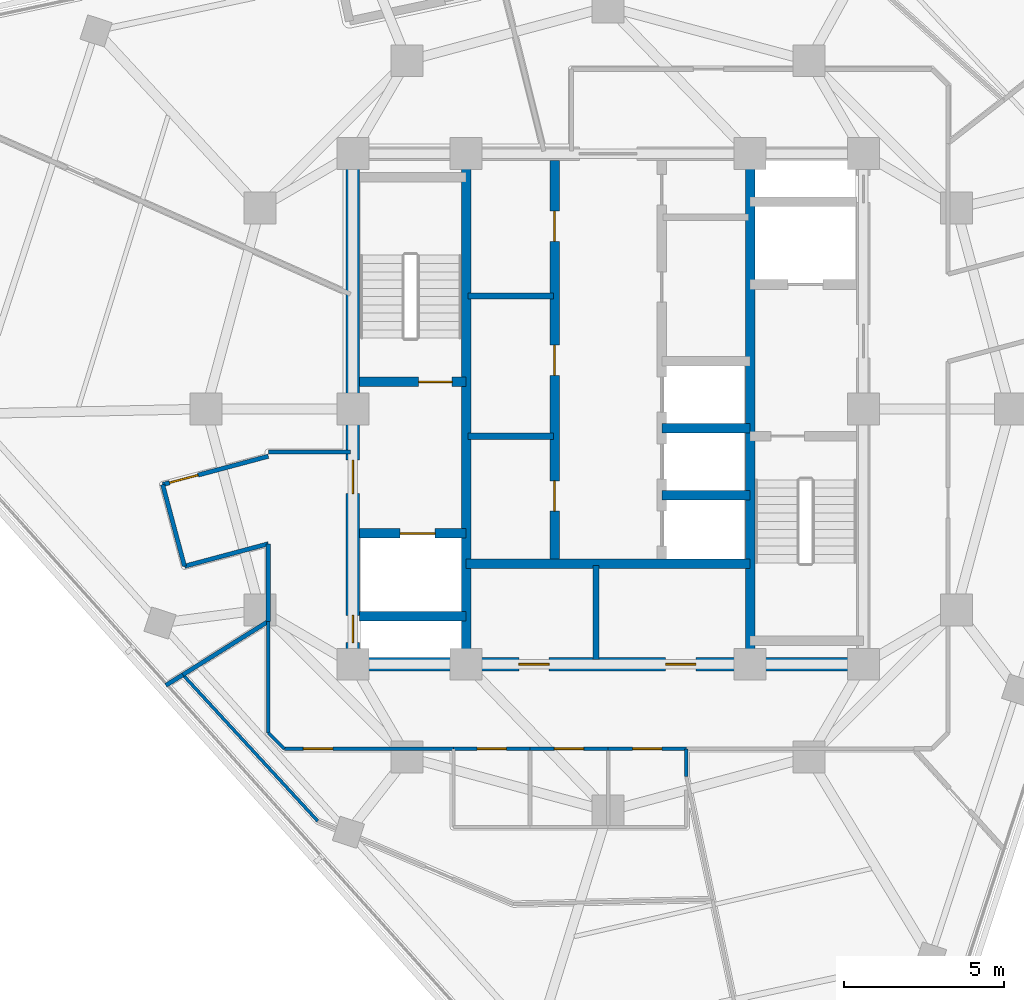
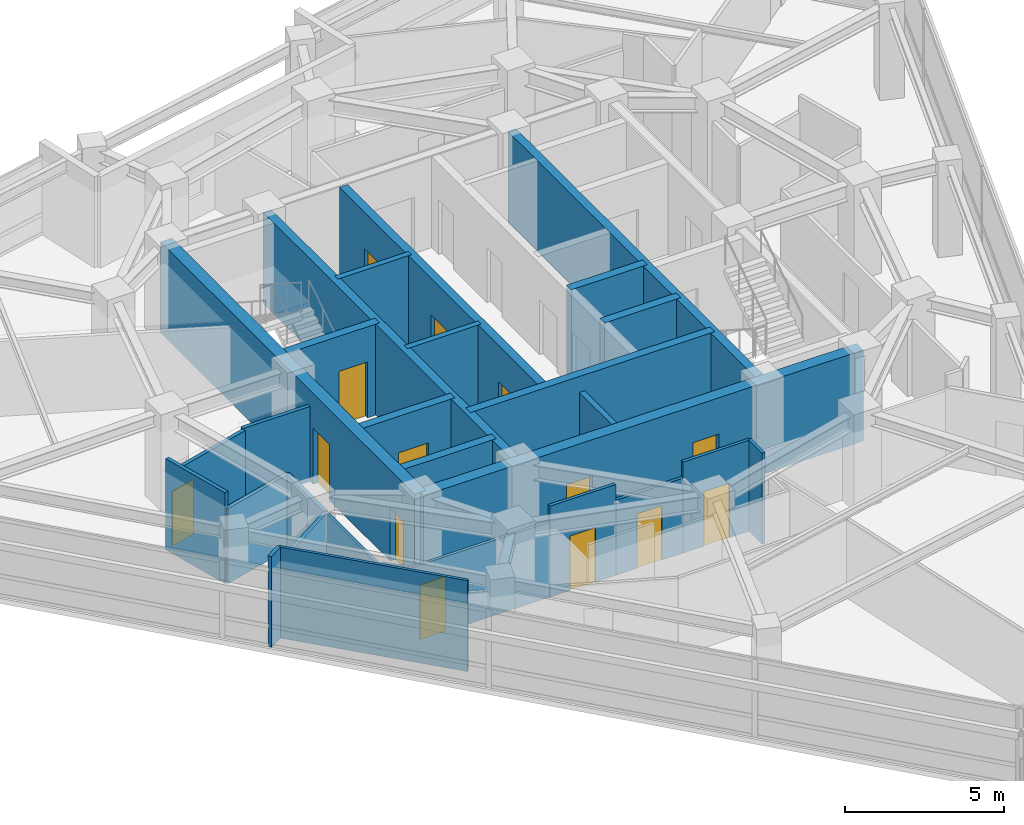
# One storey, part 8 of 15: 29 walls, 14 doors, 14 openings.
"""IFC4 building model written with IfcOpenShell, lengths in metres."""

from ifc_helpers import new_model, si_unit, direction, frame, frame_2d, origin, place, context, subcontext, project, spatial, rectangle, extrude, material, layer, layer_set, type_object, element, fill, save


model = new_model("IFC4")

# Units and contexts
model_context = context("Model", 3, precision=1e-05, world=origin(), true_north=direction((0.0, 1.0)))
body_context = subcontext(model_context, "Body", "Model", "MODEL_VIEW")
ifc_project = project(units=[si_unit("LENGTHUNIT", "METRE"), si_unit("AREAUNIT", "SQUARE_METRE"), si_unit("VOLUMEUNIT", "CUBIC_METRE"), si_unit("PLANEANGLEUNIT", "RADIAN"), si_unit("MASSUNIT", "GRAM", prefix="KILO")], contexts=[model_context])

# Site, building, storey
site_placement = place(None, origin())
site = spatial("IfcSite", under=ifc_project, at=site_placement, CompositionType="ELEMENT")
building_placement = place(site_placement, origin())
building = spatial("IfcBuilding", under=site, at=building_placement, Name="Terralouvre Media Tower", CompositionType="ELEMENT")
storey_placement = place(building_placement, frame((0.0, 0.0, 290.60009765625)))
storey = spatial("IfcBuildingStorey", under=building, at=storey_placement, Name="L75", CompositionType="ELEMENT", Elevation=290.60009765625)

# Walls
ifc_material_1 = material(Name="Concrete C50/60", Category="concrete")
ifc_layer_1 = layer(ifc_material_1, 0.300048828125, Name="Core Internal Shaft Wall CW-300")
ifc_layer_set_1 = layer_set([ifc_layer_1], Name="Concrete C50/60")
wall_type_1 = type_object("IfcWallType", Name="Core Internal Shaft Wall CW-300", PredefinedType="SHEAR", material=ifc_layer_set_1)
for number, where, z_axis, x_axis, name in (
    (1, (-4.449951171875, -7.7900390625, 0.0), (0.0, 0.0, 1.0), (0.0, 1.0, 0.0), "L75 Core Shaft Wall SPW"),
    (2, (4.449951171875, -7.7900390625, 0.0), (0.0, 0.0, 1.0), (0.0, 1.0, 0.0), "L75 Core Shaft Wall SPE"),
):
    element("IfcWall", number, at=place(storey_placement, frame(where, z_axis=z_axis, x_axis=x_axis)), inside=storey, type_object=wall_type_1, Name=name, PredefinedType="SHEAR", context=body_context, shape_type="SweptSolid", body=[
        extrude(rectangle(XDim=15.580078125, YDim=0.300048828125, at=frame_2d((7.7900390625, 0.0))), origin(), (0.0, 0.0, 1.0), 3.5),
    ])

# Wall, opening, door
wall_1_placement = place(storey_placement, frame((-7.7900390625, 0.85009765625, 0.0), z_axis=(0.0, 0.0, 1.0), x_axis=(1.0, 0.0, 0.0)))
wall_1 = element("IfcWall", 3, at=wall_1_placement, inside=storey, type_object=wall_type_1, Name="L75 Core Shaft Wall ST1D", PredefinedType="SHEAR", context=body_context, shape_type="SweptSolid", body=[
    extrude(rectangle(XDim=3.340087890625, YDim=0.300048828125, at=frame_2d((1.669921875, 0.0))), origin(), (0.0, 0.0, 1.0), 3.5),
])
opening_1_placement = place(wall_1_placement, frame((1.85009765625, 0.0, 0.0)))
opening_1 = element("IfcOpeningElement", 4, at=opening_1_placement, cuts=wall_1, Name="Opening FD-01-105X215", PredefinedType="OPENING", context=body_context, shape_type="SweptSolid", body=[
    extrude(rectangle(XDim=1.050048828125, YDim=2.14990234375, at=frame_2d((0.52490234375, 1.074951171875))), frame((0.0, 0.159912109375, 0.0), z_axis=(0.0, -1.0, 0.0), x_axis=(1.0, 0.0, 0.0)), (0.0, 0.0, 1.0), 0.320068359375),
])
ifc_material_2 = material(Name="Galvanised steel fire-resisting leaf", Category="steel")
door_type_1 = type_object("IfcDoorType", Name="Stair and Firefighting Lobby Fire Door FD-01 (1050x2150)", OperationType="NOTDEFINED", PredefinedType="DOOR", material=ifc_material_2)
door_1_placement = place(opening_1_placement, origin())
door_1 = element("IfcDoor", 5, at=door_1_placement, inside=storey, type_object=door_type_1, Name="L75 ST-01 Exit Stair Door", OperationType="SINGLE_SWING_LEFT", OverallHeight=2.14990234375, OverallWidth=1.050048828125, PredefinedType="DOOR", context=body_context, shape_type="SweptSolid", body=[
    extrude(rectangle(XDim=1.050048828125, YDim=2.14990234375, at=frame_2d((0.52490234375, 1.074951171875))), frame((0.0, 0.02490234375, 0.0), z_axis=(0.0, -1.0, 0.0), x_axis=(1.0, 0.0, 0.0)), (0.0, 0.0, 1.0), 0.050048828125),
])
fill(opening_1, door_1)

wall_2_placement = place(storey_placement, frame((-7.7900390625, -3.89990234375, 0.0), z_axis=(0.0, 0.0, 1.0), x_axis=(1.0, 0.0, 0.0)))
wall_2 = element("IfcWall", 6, at=wall_2_placement, inside=storey, type_object=wall_type_1, Name="L75 Core Shaft Wall FF1N", PredefinedType="SHEAR", context=body_context, shape_type="SweptSolid", body=[
    extrude(rectangle(XDim=3.340087890625, YDim=0.300048828125, at=frame_2d((1.669921875, 0.0))), origin(), (0.0, 0.0, 1.0), 3.5),
])
opening_2_placement = place(wall_2_placement, frame((1.27001953125, 0.0, 0.0)))
opening_2 = element("IfcOpeningElement", 7, at=opening_2_placement, cuts=wall_2, Name="Opening LD-FF", PredefinedType="OPENING", context=body_context, shape_type="SweptSolid", body=[
    extrude(rectangle(XDim=1.10009765625, YDim=2.10009765625, at=frame_2d((0.550048828125, 1.050048828125))), frame((0.0, 0.159912109375, 0.0), z_axis=(0.0, -1.0, 0.0), x_axis=(1.0, 0.0, 0.0)), (0.0, 0.0, 1.0), 0.320068359375),
])
ifc_material_3 = material(Name="Stainless steel 316 handrail and balustrade", Category="steel")
door_type_2 = type_object("IfcDoorType", Name="Firefighting Lift Sliding Landing Door LD-FF", OperationType="SLIDING_TO_LEFT", PredefinedType="DOOR", material=ifc_material_3)
door_2_placement = place(opening_2_placement, origin())
door_2 = element("IfcDoor", 8, at=door_2_placement, inside=storey, type_object=door_type_2, Name="L75 Firefighting Lift FFL-01 Landing Door", OperationType="SLIDING_TO_LEFT", OverallHeight=2.10009765625, OverallWidth=1.10009765625, PredefinedType="DOOR", context=body_context, shape_type="SweptSolid", body=[
    extrude(rectangle(XDim=1.10009765625, YDim=2.10009765625, at=frame_2d((0.550048828125, 1.050048828125))), frame((0.0, 0.02490234375, 0.0), z_axis=(0.0, -1.0, 0.0), x_axis=(1.0, 0.0, 0.0)), (0.0, 0.0, 1.0), 0.050048828125),
])
fill(opening_2, door_2)

# Walls
wall_3_placement = place(storey_placement, frame((-7.7900390625, -6.5, 0.0), z_axis=(0.0, 0.0, 1.0), x_axis=(1.0, 0.0, 0.0)))
element("IfcWall", 9, at=wall_3_placement, inside=storey, type_object=wall_type_1, Name="L75 Core Shaft Wall FF1S", PredefinedType="SHEAR", context=body_context, shape_type="SweptSolid", body=[
    extrude(rectangle(XDim=3.340087890625, YDim=0.300048828125, at=frame_2d((1.669921875, 0.0))), origin(), (0.0, 0.0, 1.0), 3.5),
])
wall_4_placement = place(storey_placement, frame((-4.449951171875, -4.85009765625, 0.0), z_axis=(0.0, 0.0, 1.0), x_axis=(1.0, 0.0, 0.0)))
element("IfcWall", 10, at=wall_4_placement, inside=storey, type_object=wall_type_1, Name="L75 Core Shaft Wall CSBN", PredefinedType="SHEAR", context=body_context, shape_type="SweptSolid", body=[
    extrude(rectangle(XDim=8.89990234375, YDim=0.300048828125, at=frame_2d((4.449951171875, 0.0))), origin(), (0.0, 0.0, 1.0), 3.5),
])

# Wall, openings, doors
wall_5_placement = place(storey_placement, frame((-1.679931640625, -4.85009765625, 0.0), z_axis=(0.0, 0.0, 1.0), x_axis=(0.0, 1.0, 0.0)))
wall_5 = element("IfcWall", 11, at=wall_5_placement, inside=storey, type_object=wall_type_1, Name="L75 Core Shaft Wall LBW", PredefinedType="SHEAR", context=body_context, shape_type="SweptSolid", body=[
    extrude(rectangle(XDim=12.64013671875, YDim=0.300048828125, at=frame_2d((6.320068359375, 0.0))), origin(), (0.0, 0.0, 1.0), 3.5),
])
opening_3_placement = place(wall_5_placement, frame((1.64990234375, 0.0, 0.0)))
opening_3 = element("IfcOpeningElement", 12, at=opening_3_placement, cuts=wall_5, Name="Opening FD-02-95X210", PredefinedType="OPENING", context=body_context, shape_type="SweptSolid", body=[
    extrude(rectangle(XDim=0.949951171875, YDim=2.10009765625, at=frame_2d((0.47509765625, 1.050048828125))), frame((0.0, 0.159912109375, 0.0), z_axis=(0.0, -1.0, 0.0), x_axis=(1.0, 0.0, 0.0)), (0.0, 0.0, 1.0), 0.320068359375),
])
opening_4_placement = place(wall_5_placement, frame((5.89990234375, 0.0, 0.0)))
opening_4 = element("IfcOpeningElement", 13, at=opening_4_placement, cuts=wall_5, Name="Opening SD-02", PredefinedType="OPENING", context=body_context, shape_type="SweptSolid", body=[
    extrude(rectangle(XDim=0.949951171875, YDim=2.10009765625, at=frame_2d((0.47509765625, 1.050048828125))), frame((0.0, 0.159912109375, 0.0), z_axis=(0.0, -1.0, 0.0), x_axis=(1.0, 0.0, 0.0)), (0.0, 0.0, 1.0), 0.320068359375),
])
opening_5_placement = place(wall_5_placement, frame((10.10009765625, 0.0, 0.0)))
opening_5 = element("IfcOpeningElement", 14, at=opening_5_placement, cuts=wall_5, Name="Opening FD-02-95X210", PredefinedType="OPENING", context=body_context, shape_type="SweptSolid", body=[
    extrude(rectangle(XDim=0.949951171875, YDim=2.10009765625, at=frame_2d((0.47509765625, 1.050048828125))), frame((0.0, 0.159912109375, 0.0), z_axis=(0.0, -1.0, 0.0), x_axis=(1.0, 0.0, 0.0)), (0.0, 0.0, 1.0), 0.320068359375),
])
ifc_material_4 = material(Name="Galvanised steel fire-resisting leaf", Category="steel")
door_type_3 = type_object("IfcDoorType", Name="Core Service Sliding Fire Door SD-02", OperationType="SLIDING_TO_LEFT", PredefinedType="DOOR", material=ifc_material_4)
door_3_placement = place(opening_4_placement, origin())
door_3 = element("IfcDoor", 15, at=door_3_placement, inside=storey, type_object=door_type_3, Name="L75 Core Pantry Store Door", OperationType="SLIDING_TO_LEFT", OverallHeight=2.10009765625, OverallWidth=0.949951171875, PredefinedType="DOOR", context=body_context, shape_type="SweptSolid", body=[
    extrude(rectangle(XDim=0.949951171875, YDim=2.10009765625, at=frame_2d((0.47509765625, 1.050048828125))), frame((0.0, 0.02490234375, 0.0), z_axis=(0.0, -1.0, 0.0), x_axis=(1.0, 0.0, 0.0)), (0.0, 0.0, 1.0), 0.050048828125),
])
fill(opening_4, door_3)
ifc_material_5 = material(Name="Galvanised steel fire-resisting leaf", Category="steel")
door_type_4 = type_object("IfcDoorType", Name="Plant and Riser Fire Door FD-02 (950x2100)", OperationType="NOTDEFINED", PredefinedType="DOOR", material=ifc_material_5)
door_4_placement = place(opening_3_placement, origin())
door_4 = element("IfcDoor", 16, at=door_4_placement, inside=storey, type_object=door_type_4, Name="L75 Core UPS Switch Plant Door", OperationType="SINGLE_SWING_LEFT", OverallHeight=2.10009765625, OverallWidth=0.949951171875, PredefinedType="DOOR", context=body_context, shape_type="SweptSolid", body=[
    extrude(rectangle(XDim=0.949951171875, YDim=2.10009765625, at=frame_2d((0.47509765625, 1.050048828125))), frame((0.0, 0.02490234375, 0.0), z_axis=(0.0, -1.0, 0.0), x_axis=(1.0, 0.0, 0.0)), (0.0, 0.0, 1.0), 0.050048828125),
])
fill(opening_3, door_4)
door_5_placement = place(opening_5_placement, origin())
door_5 = element("IfcDoor", 17, at=door_5_placement, inside=storey, type_object=door_type_4, Name="L75 Core Edge Server Plant Door", OperationType="SINGLE_SWING_RIGHT", OverallHeight=2.10009765625, OverallWidth=0.949951171875, PredefinedType="DOOR", context=body_context, shape_type="SweptSolid", body=[
    extrude(rectangle(XDim=0.949951171875, YDim=2.10009765625, at=frame_2d((0.47509765625, 1.050048828125))), frame((0.0, 0.02490234375, 0.0), z_axis=(0.0, -1.0, 0.0), x_axis=(1.0, 0.0, 0.0)), (0.0, 0.0, 1.0), 0.050048828125),
])
fill(opening_5, door_5)

# Walls
for number, where, z_axis, x_axis, name in (
    (18, (1.679931640625, -2.699951171875, 0.0), (0.0, 0.0, 1.0), (1.0, 0.0, 0.0), "L75 Core Shaft Wall PLHD1"),
    (19, (1.679931640625, -0.60009765625, 0.0), (0.0, 0.0, 1.0), (1.0, 0.0, 0.0), "L75 Core Shaft Wall PLHD2"),
):
    element("IfcWall", number, at=place(storey_placement, frame(where, z_axis=z_axis, x_axis=x_axis)), inside=storey, type_object=wall_type_1, Name=name, PredefinedType="SHEAR", context=body_context, shape_type="SweptSolid", body=[
        extrude(rectangle(XDim=2.77001953125, YDim=0.300048828125, at=frame_2d((1.385009765625, 0.0))), origin(), (0.0, 0.0, 1.0), 3.5),
    ])

# Wall, openings, doors
ifc_material_6 = material(Name="Concrete C60/75", Category="concrete")
ifc_layer_2 = layer(ifc_material_6, 0.419921875, Name="Core Reinforced Concrete Shear Wall CW-420")
ifc_layer_set_2 = layer_set([ifc_layer_2], Name="Concrete C60/75")
wall_type_2 = type_object("IfcWallType", Name="Core Reinforced Concrete Shear Wall CW-420", PredefinedType="SHEAR", material=ifc_layer_set_2)
wall_6_placement = place(storey_placement, frame((-8.0, -8.0, 0.0), z_axis=(0.0, 0.0, 1.0), x_axis=(0.0, 1.0, 0.0)))
wall_6 = element("IfcWall", 20, at=wall_6_placement, inside=storey, type_object=wall_type_2, Name="L75 W Core Shear Wall", PredefinedType="SHEAR", context=body_context, shape_type="SweptSolid", body=[
    extrude(rectangle(XDim=16.0, YDim=0.419921875, at=frame_2d((8.0, 0.0))), origin(), (0.0, 0.0, 1.0), 3.5),
])
opening_6_placement = place(wall_6_placement, frame((0.68115234375, 0.0, 0.0)))
opening_6 = element("IfcOpeningElement", 21, at=opening_6_placement, cuts=wall_6, Name="Opening TD-R1", PredefinedType="OPENING", context=body_context, shape_type="SweptSolid", body=[
    extrude(rectangle(XDim=0.85009765625, YDim=2.02001953125, at=frame_2d((0.425048828125, 1.010009765625))), frame((0.0, 0.219970703125, 0.0), z_axis=(0.0, -1.0, 0.0), x_axis=(1.0, 0.0, 0.0)), (0.0, 0.0, 1.0), 0.43994140625),
])
opening_7_placement = place(wall_6_placement, frame((5.35009765625, 0.0, 0.0)))
opening_7 = element("IfcOpeningElement", 22, at=opening_7_placement, cuts=wall_6, Name="Opening FD-01-105X215", PredefinedType="OPENING", context=body_context, shape_type="SweptSolid", body=[
    extrude(rectangle(XDim=1.050048828125, YDim=2.14990234375, at=frame_2d((0.52490234375, 1.074951171875))), frame((0.0, 0.219970703125, 0.0), z_axis=(0.0, -1.0, 0.0), x_axis=(1.0, 0.0, 0.0)), (0.0, 0.0, 1.0), 0.43994140625),
])
ifc_material_7 = material(Name="Galvanised steel fire-resisting leaf", Category="steel")
door_type_5 = type_object("IfcDoorType", Name="Riser Inspection Access Trapdoor TD-R1", OperationType="NOTDEFINED", PredefinedType="TRAPDOOR", material=ifc_material_7)
door_6_placement = place(opening_6_placement, origin())
door_6 = element("IfcDoor", 23, at=door_6_placement, inside=storey, type_object=door_type_5, Name="L75 Wet Riser Access Trapdoor", OperationType="SINGLE_SWING_LEFT", OverallHeight=2.02001953125, OverallWidth=0.85009765625, PredefinedType="TRAPDOOR", context=body_context, shape_type="SweptSolid", body=[
    extrude(rectangle(XDim=0.85009765625, YDim=2.02001953125, at=frame_2d((0.425048828125, 1.010009765625))), frame((0.0, 0.02490234375, 0.0), z_axis=(0.0, -1.0, 0.0), x_axis=(1.0, 0.0, 0.0)), (0.0, 0.0, 1.0), 0.050048828125),
])
fill(opening_6, door_6)
door_7_placement = place(opening_7_placement, origin())
door_7 = element("IfcDoor", 24, at=door_7_placement, inside=storey, type_object=door_type_1, Name="L75 West Firefighting Lobby Entry Door", OperationType="SINGLE_SWING_RIGHT", OverallHeight=2.14990234375, OverallWidth=1.050048828125, PredefinedType="DOOR", context=body_context, shape_type="SweptSolid", body=[
    extrude(rectangle(XDim=1.050048828125, YDim=2.14990234375, at=frame_2d((0.52490234375, 1.074951171875))), frame((0.0, 0.02490234375, 0.0), z_axis=(0.0, -1.0, 0.0), x_axis=(1.0, 0.0, 0.0)), (0.0, 0.0, 1.0), 0.050048828125),
])
fill(opening_7, door_7)

wall_7_placement = place(storey_placement, frame((-8.0, -8.0, 0.0), z_axis=(0.0, 0.0, 1.0), x_axis=(1.0, 0.0, 0.0)))
wall_7 = element("IfcWall", 25, at=wall_7_placement, inside=storey, type_object=wall_type_2, Name="L75 S Core Shear Wall", PredefinedType="SHEAR", context=body_context, shape_type="SweptSolid", body=[
    extrude(rectangle(XDim=16.0, YDim=0.419921875, at=frame_2d((8.0, 0.0))), origin(), (0.0, 0.0, 1.0), 3.5),
])
opening_8_placement = place(wall_7_placement, frame((5.199951171875, 0.0, 0.0)))
opening_8 = element("IfcOpeningElement", 26, at=opening_8_placement, cuts=wall_7, Name="Opening FD-02-95X210", PredefinedType="OPENING", context=body_context, shape_type="SweptSolid", body=[
    extrude(rectangle(XDim=0.949951171875, YDim=2.10009765625, at=frame_2d((0.47509765625, 1.050048828125))), frame((0.0, 0.219970703125, 0.0), z_axis=(0.0, -1.0, 0.0), x_axis=(1.0, 0.0, 0.0)), (0.0, 0.0, 1.0), 0.43994140625),
])
opening_9_placement = place(wall_7_placement, frame((9.800048828125, 0.0, 0.0)))
opening_9 = element("IfcOpeningElement", 27, at=opening_9_placement, cuts=wall_7, Name="Opening FD-02-95X210", PredefinedType="OPENING", context=body_context, shape_type="SweptSolid", body=[
    extrude(rectangle(XDim=0.949951171875, YDim=2.10009765625, at=frame_2d((0.47509765625, 1.050048828125))), frame((0.0, 0.219970703125, 0.0), z_axis=(0.0, -1.0, 0.0), x_axis=(1.0, 0.0, 0.0)), (0.0, 0.0, 1.0), 0.43994140625),
])
door_8_placement = place(opening_8_placement, origin())
door_8 = element("IfcDoor", 28, at=door_8_placement, inside=storey, type_object=door_type_4, Name="L75 Core Valve Plant Door", OperationType="SINGLE_SWING_LEFT", OverallHeight=2.10009765625, OverallWidth=0.949951171875, PredefinedType="DOOR", context=body_context, shape_type="SweptSolid", body=[
    extrude(rectangle(XDim=0.949951171875, YDim=2.10009765625, at=frame_2d((0.47509765625, 1.050048828125))), frame((0.0, 0.02490234375, 0.0), z_axis=(0.0, -1.0, 0.0), x_axis=(1.0, 0.0, 0.0)), (0.0, 0.0, 1.0), 0.050048828125),
])
fill(opening_8, door_8)
door_9_placement = place(opening_9_placement, origin())
door_9 = element("IfcDoor", 29, at=door_9_placement, inside=storey, type_object=door_type_4, Name="L75 Core MDF Plant Door", OperationType="SINGLE_SWING_RIGHT", OverallHeight=2.10009765625, OverallWidth=0.949951171875, PredefinedType="DOOR", context=body_context, shape_type="SweptSolid", body=[
    extrude(rectangle(XDim=0.949951171875, YDim=2.10009765625, at=frame_2d((0.47509765625, 1.050048828125))), frame((0.0, 0.02490234375, 0.0), z_axis=(0.0, -1.0, 0.0), x_axis=(1.0, 0.0, 0.0)), (0.0, 0.0, 1.0), 0.050048828125),
])
fill(opening_9, door_9)

# Walls
ifc_material_8 = material(Name="Low-iron laminated double glazing with solar-control coating", Category="glass")
ifc_layer_3 = layer(ifc_material_8, 0.10009765625, Name="Demountable Glazed Office Partition PT-GL100")
ifc_layer_set_3 = layer_set([ifc_layer_3], Name="Low-iron laminated double glazing with solar-control coating")
wall_type_3 = type_object("IfcWallType", Name="Demountable Glazed Office Partition PT-GL100", PredefinedType="MOVABLE", material=ifc_layer_set_3)
wall_8_placement = place(storey_placement, frame((-10.64990234375, -6.655029296875, 0.0), z_axis=(0.0, 0.0, 1.0), x_axis=(0.0, -1.0, 0.0)))
element("IfcWall", 30, at=wall_8_placement, inside=storey, type_object=wall_type_3, Name="L75 Interior Partition 013", PredefinedType="MOVABLE", context=body_context, shape_type="SweptSolid", body=[
    extrude(rectangle(XDim=3.494873046875, YDim=0.10009765625, at=frame_2d((1.74755859375, 0.0))), origin(), (0.0, 0.0, 1.0), 2.885009765625),
])
wall_9_placement = place(storey_placement, frame((-10.64990234375, -10.14990234375, 0.0), z_axis=(0.0, 0.0, 1.0), x_axis=(0.707106781187, -0.707106781187, 0.0)))
element("IfcWall", 31, at=wall_9_placement, inside=storey, type_object=wall_type_3, Name="L75 Interior Partition 014", PredefinedType="MOVABLE", context=body_context, shape_type="SweptSolid", body=[
    extrude(rectangle(XDim=0.70703125, YDim=0.10009765625, at=frame_2d((0.353515625, 0.0))), origin(), (0.0, 0.0, 1.0), 3.034912109375),
])

# Wall, opening, door
wall_10_placement = place(storey_placement, frame((-10.14990234375, -10.64990234375, 0.0), z_axis=(0.0, 0.0, 1.0), x_axis=(1.0, 0.0, 0.0)))
wall_10 = element("IfcWall", 32, at=wall_10_placement, inside=storey, type_object=wall_type_3, Name="L75 Interior Partition 015", PredefinedType="MOVABLE", context=body_context, shape_type="SweptSolid", body=[
    extrude(rectangle(XDim=5.2998046875, YDim=0.10009765625, at=frame_2d((2.64990234375, 0.0))), origin(), (0.0, 0.0, 1.0), 2.885009765625),
])
opening_10_placement = place(wall_10_placement, frame((0.60009765625, 0.0, 0.0)))
opening_10 = element("IfcOpeningElement", 33, at=opening_10_placement, cuts=wall_10, Name="Opening ID-03-92X210", PredefinedType="OPENING", context=body_context, shape_type="SweptSolid", body=[
    extrude(rectangle(XDim=0.919921875, YDim=2.10009765625, at=frame_2d((0.4599609375, 1.050048828125))), frame((0.0, 0.06005859375, 0.0), z_axis=(0.0, -1.0, 0.0), x_axis=(1.0, 0.0, 0.0)), (0.0, 0.0, 1.0), 0.1201171875),
])
ifc_material_9 = material(Name="Engineered hardwood acoustic timber leaf", Category="wood")
door_type_6 = type_object("IfcDoorType", Name="Accessible Restroom and Suite Door ID-03 (920x2100)", OperationType="NOTDEFINED", PredefinedType="DOOR", material=ifc_material_9)
door_10_placement = place(opening_10_placement, origin())
door_10 = element("IfcDoor", 34, at=door_10_placement, inside=storey, type_object=door_type_6, Name="L75 Journalism Training Classroom 3 Door", OperationType="SINGLE_SWING_RIGHT", OverallHeight=2.10009765625, OverallWidth=0.919921875, PredefinedType="DOOR", context=body_context, shape_type="SweptSolid", body=[
    extrude(rectangle(XDim=0.919921875, YDim=2.10009765625, at=frame_2d((0.4599609375, 1.050048828125))), frame((0.0, 0.02490234375, 0.0), z_axis=(0.0, -1.0, 0.0), x_axis=(1.0, 0.0, 0.0)), (0.0, 0.0, 1.0), 0.050048828125),
])
fill(opening_10, door_10)

# Walls
wall_11_placement = place(storey_placement, frame((-13.3291015625, -8.3291015625, 0.0), z_axis=(0.0, 0.0, 1.0), x_axis=(0.677841155448, -0.735208384052, 0.0)))
element("IfcWall", 35, at=wall_11_placement, inside=storey, type_object=wall_type_3, Name="L75 Interior Partition 033", PredefinedType="MOVABLE", context=body_context, shape_type="SweptSolid", body=[
    extrude(rectangle(XDim=6.239013671875, YDim=0.10009765625, at=frame_2d((3.11962890625, 0.0))), origin(), (0.0, 0.0, 1.0), 3.5),
])
ifc_material_10 = material(Name="Fire-rated gypsum board drywall partition")
ifc_layer_4 = layer(ifc_material_10, 0.199951171875, Name="Fire-Rated Shaft and Lobby Partition FW-200")
ifc_layer_set_4 = layer_set([ifc_layer_4], Name="Fire-rated gypsum board drywall partition")
wall_type_4 = type_object("IfcWallType", Name="Fire-Rated Shaft and Lobby Partition FW-200", PredefinedType="SOLIDWALL", material=ifc_layer_set_4)
wall_12_placement = place(storey_placement, frame((-0.3798828125, -7.85009765625, 0.0), z_axis=(0.0, 0.0, 1.0), x_axis=(0.0, 1.0, 0.0)))
element("IfcWall", 36, at=wall_12_placement, inside=storey, type_object=wall_type_4, Name="L75 Core Service Bay Partition 1", PredefinedType="SOLIDWALL", context=body_context, shape_type="SweptSolid", body=[
    extrude(rectangle(XDim=2.9501953125, YDim=0.199951171875, at=frame_2d((1.47509765625, 0.0))), origin(), (0.0, 0.0, 1.0), 2.885009765625),
])
for number, where, z_axis, x_axis, name in (
    (37, (-4.39990234375, -0.860107421875, 0.0), (0.0, 0.0, 1.0), (1.0, 0.0, 0.0), "L75 Core West Sub-Partition 1"),
    (38, (-4.39990234375, 3.5400390625, 0.0), (0.0, 0.0, 1.0), (1.0, 0.0, 0.0), "L75 Core West Sub-Partition 2"),
):
    element("IfcWall", number, at=place(storey_placement, frame(where, z_axis=z_axis, x_axis=x_axis)), inside=storey, type_object=wall_type_4, Name=name, PredefinedType="SOLIDWALL", context=body_context, shape_type="SweptSolid", body=[
        extrude(rectangle(XDim=2.679931640625, YDim=0.199951171875, at=frame_2d((1.33984375, 0.0))), origin(), (0.0, 0.0, 1.0), 3.5),
    ])
ifc_material_11 = material(Name="Fire-rated gypsum board drywall partition")
ifc_layer_5 = layer(ifc_material_11, 0.135009765625, Name="Newsroom Acoustic Partition PT-135")
ifc_layer_set_5 = layer_set([ifc_layer_5], Name="Fire-rated gypsum board drywall partition")
wall_type_5 = type_object("IfcWallType", Name="Newsroom Acoustic Partition PT-135", PredefinedType="PARTITIONING", material=ifc_layer_set_5)
wall_13_placement = place(storey_placement, frame((-8.080078125, -1.35009765625, 0.0), z_axis=(0.0, 0.0, 1.0), x_axis=(-1.0, 0.0, 0.0)))
element("IfcWall", 39, at=wall_13_placement, inside=storey, type_object=wall_type_5, Name="L75 Interior Partition 001", PredefinedType="PARTITIONING", context=body_context, shape_type="SweptSolid", body=[
    extrude(rectangle(XDim=2.56982421875, YDim=0.135009765625, at=frame_2d((1.284912109375, 0.0))), origin(), (0.0, 0.0, 1.0), 2.885009765625),
])

# Wall, opening, door
wall_14_placement = place(storey_placement, frame((-10.64990234375, -1.48193359375, 0.0), z_axis=(0.0, 0.0, 1.0), x_axis=(-0.965961397105, -0.2586862565, 0.0)))
wall_14 = element("IfcWall", 40, at=wall_14_placement, inside=storey, type_object=wall_type_5, Name="L75 Interior Partition 002", PredefinedType="PARTITIONING", context=body_context, shape_type="SweptSolid", body=[
    extrude(rectangle(XDim=3.4287109375, YDim=0.135009765625, at=frame_2d((1.71435546875, 0.0))), origin(), (0.0, 0.0, 1.0), 2.885009765625),
])
opening_11_placement = place(wall_14_placement, frame((2.282958984375, 0.0, 0.0)))
opening_11 = element("IfcOpeningElement", 41, at=opening_11_placement, cuts=wall_14, Name="Opening ID-03-92X210", PredefinedType="OPENING", context=body_context, shape_type="SweptSolid", body=[
    extrude(rectangle(XDim=0.919921875, YDim=2.10009765625, at=frame_2d((0.4599609375, 1.050048828125))), frame((0.0, 0.077392578125, 0.0), z_axis=(0.0, -1.0, 0.0), x_axis=(1.0, 0.0, 0.0)), (0.0, 0.0, 1.0), 0.155029296875),
])
door_11_placement = place(opening_11_placement, origin())
door_11 = element("IfcDoor", 42, at=door_11_placement, inside=storey, type_object=door_type_6, Name="L75 Admissions Reception 1 Door", OperationType="SINGLE_SWING_RIGHT", OverallHeight=2.10009765625, OverallWidth=0.919921875, PredefinedType="DOOR", context=body_context, shape_type="SweptSolid", body=[
    extrude(rectangle(XDim=0.919921875, YDim=2.10009765625, at=frame_2d((0.4599609375, 1.050048828125))), frame((0.0, 0.02490234375, 0.0), z_axis=(0.0, -1.0, 0.0), x_axis=(1.0, 0.0, 0.0)), (0.0, 0.0, 1.0), 0.050048828125),
])
fill(opening_11, door_11)

# Walls
wall_15_placement = place(storey_placement, frame((-13.9619140625, -2.368896484375, 0.0), z_axis=(0.0, 0.0, 1.0), x_axis=(0.258413725385, -0.966034340245, 0.0)))
element("IfcWall", 43, at=wall_15_placement, inside=storey, type_object=wall_type_5, Name="L75 Interior Partition 003", PredefinedType="PARTITIONING", context=body_context, shape_type="SweptSolid", body=[
    extrude(rectangle(XDim=2.650146484375, YDim=0.135009765625, at=frame_2d((1.3251953125, 0.0))), origin(), (0.0, 0.0, 1.0), 3.5),
])
wall_16_placement = place(storey_placement, frame((-13.277099609375, -4.928955078125, 0.0), z_axis=(0.0, 0.0, 1.0), x_axis=(0.965934830229, 0.258785439601, 0.0)))
element("IfcWall", 44, at=wall_16_placement, inside=storey, type_object=wall_type_5, Name="L75 Interior Partition 004", PredefinedType="PARTITIONING", context=body_context, shape_type="SweptSolid", body=[
    extrude(rectangle(XDim=2.719970703125, YDim=0.135009765625, at=frame_2d((1.35986328125, 0.0))), origin(), (0.0, 0.0, 1.0), 2.885009765625),
])
wall_17_placement = place(storey_placement, frame((-10.64990234375, -4.22509765625, 0.0), z_axis=(0.0, 0.0, 1.0), x_axis=(0.0, -1.0, 0.0)))
element("IfcWall", 45, at=wall_17_placement, inside=storey, type_object=wall_type_5, Name="L75 Interior Partition 005", PredefinedType="PARTITIONING", context=body_context, shape_type="SweptSolid", body=[
    extrude(rectangle(XDim=2.429931640625, YDim=0.135009765625, at=frame_2d((1.21484375, 0.0))), origin(), (0.0, 0.0, 1.0), 2.885009765625),
])
wall_18_placement = place(storey_placement, frame((-13.3291015625, -8.3291015625, 0.0), z_axis=(0.0, 0.0, 1.0), x_axis=(0.848059079617, 0.529901686617, 0.0)))
element("IfcWall", 46, at=wall_18_placement, inside=storey, type_object=wall_type_5, Name="L75 Interior Partition 024", PredefinedType="PARTITIONING", context=body_context, shape_type="SweptSolid", body=[
    extrude(rectangle(XDim=3.1591796875, YDim=0.135009765625, at=frame_2d((1.57958984375, 0.0))), origin(), (0.0, 0.0, 1.0), 2.885009765625),
])
wall_19_placement = place(storey_placement, frame((-13.861083984375, -8.661376953125, 0.0), z_axis=(0.0, 0.0, 1.0), x_axis=(0.848151340075, 0.529754003599, 0.0)))
element("IfcWall", 47, at=wall_19_placement, inside=storey, type_object=wall_type_5, Name="L75 Interior Partition 025", PredefinedType="PARTITIONING", context=body_context, shape_type="SweptSolid", body=[
    extrude(rectangle(XDim=0.627197265625, YDim=0.135009765625, at=frame_2d((0.3134765625, 0.0))), origin(), (0.0, 0.0, 1.0), 3.5),
])

# Wall, opening, door
ifc_material_12 = material(Name="Fire-rated gypsum board drywall partition")
ifc_layer_6 = layer(ifc_material_12, 0.114990234375, Name="Restroom and Pantry Partition PT-115")
ifc_layer_set_6 = layer_set([ifc_layer_6], Name="Fire-rated gypsum board drywall partition")
wall_type_6 = type_object("IfcWallType", Name="Restroom and Pantry Partition PT-115", PredefinedType="PARTITIONING", material=ifc_layer_set_6)
wall_20_placement = place(storey_placement, frame((-4.85009765625, -10.64990234375, 0.0), z_axis=(0.0, 0.0, 1.0), x_axis=(1.0, 0.0, 0.0)))
wall_20 = element("IfcWall", 48, at=wall_20_placement, inside=storey, type_object=wall_type_6, Name="L75 Interior Partition 016", PredefinedType="PARTITIONING", context=body_context, shape_type="SweptSolid", body=[
    extrude(rectangle(XDim=2.400146484375, YDim=0.114990234375, at=frame_2d((1.2001953125, 0.0))), origin(), (0.0, 0.0, 1.0), 3.5),
])
opening_12_placement = place(wall_20_placement, frame((0.739990234375, 0.0, 0.0)))
opening_12 = element("IfcOpeningElement", 49, at=opening_12_placement, cuts=wall_20, Name="Opening ID-03-92X210", PredefinedType="OPENING", context=body_context, shape_type="SweptSolid", body=[
    extrude(rectangle(XDim=0.919921875, YDim=2.10009765625, at=frame_2d((0.4599609375, 1.050048828125))), frame((0.0, 0.0673828125, 0.0), z_axis=(0.0, -1.0, 0.0), x_axis=(1.0, 0.0, 0.0)), (0.0, 0.0, 1.0), 0.135009765625),
])
door_12_placement = place(opening_12_placement, origin())
door_12 = element("IfcDoor", 50, at=door_12_placement, inside=storey, type_object=door_type_6, Name="L75 Male Restroom WC Door", OperationType="SINGLE_SWING_LEFT", OverallHeight=2.10009765625, OverallWidth=0.919921875, PredefinedType="DOOR", context=body_context, shape_type="SweptSolid", body=[
    extrude(rectangle(XDim=0.919921875, YDim=2.10009765625, at=frame_2d((0.4599609375, 1.050048828125))), frame((0.0, 0.02490234375, 0.0), z_axis=(0.0, -1.0, 0.0), x_axis=(1.0, 0.0, 0.0)), (0.0, 0.0, 1.0), 0.050048828125),
])
fill(opening_12, door_12)

wall_21_placement = place(storey_placement, frame((-2.449951171875, -10.64990234375, 0.0), z_axis=(0.0, 0.0, 1.0), x_axis=(1.0, 0.0, 0.0)))
wall_21 = element("IfcWall", 51, at=wall_21_placement, inside=storey, type_object=wall_type_6, Name="L75 Interior Partition 017", PredefinedType="PARTITIONING", context=body_context, shape_type="SweptSolid", body=[
    extrude(rectangle(XDim=2.449951171875, YDim=0.114990234375, at=frame_2d((1.22509765625, 0.0))), origin(), (0.0, 0.0, 1.0), 2.885009765625),
])
opening_13_placement = place(wall_21_placement, frame((0.764892578125, 0.0, 0.0)))
opening_13 = element("IfcOpeningElement", 52, at=opening_13_placement, cuts=wall_21, Name="Opening ID-03-92X210", PredefinedType="OPENING", context=body_context, shape_type="SweptSolid", body=[
    extrude(rectangle(XDim=0.919921875, YDim=2.10009765625, at=frame_2d((0.4599609375, 1.050048828125))), frame((0.0, 0.0673828125, 0.0), z_axis=(0.0, -1.0, 0.0), x_axis=(1.0, 0.0, 0.0)), (0.0, 0.0, 1.0), 0.135009765625),
])
door_13_placement = place(opening_13_placement, origin())
door_13 = element("IfcDoor", 53, at=door_13_placement, inside=storey, type_object=door_type_6, Name="L75 Female Restroom WC Door", OperationType="SINGLE_SWING_RIGHT", OverallHeight=2.10009765625, OverallWidth=0.919921875, PredefinedType="DOOR", context=body_context, shape_type="SweptSolid", body=[
    extrude(rectangle(XDim=0.919921875, YDim=2.10009765625, at=frame_2d((0.4599609375, 1.050048828125))), frame((0.0, 0.02490234375, 0.0), z_axis=(0.0, -1.0, 0.0), x_axis=(1.0, 0.0, 0.0)), (0.0, 0.0, 1.0), 0.050048828125),
])
fill(opening_13, door_13)

wall_22_placement = place(storey_placement, frame((0.0, -10.64990234375, 0.0), z_axis=(0.0, 0.0, 1.0), x_axis=(1.0, 0.0, 0.0)))
wall_22 = element("IfcWall", 54, at=wall_22_placement, inside=storey, type_object=wall_type_6, Name="L75 Interior Partition 018", PredefinedType="PARTITIONING", context=body_context, shape_type="SweptSolid", body=[
    extrude(rectangle(XDim=2.449951171875, YDim=0.114990234375, at=frame_2d((1.22509765625, 0.0))), origin(), (0.0, 0.0, 1.0), 3.5),
])
opening_14_placement = place(wall_22_placement, frame((0.764892578125, 0.0, 0.0)))
opening_14 = element("IfcOpeningElement", 55, at=opening_14_placement, cuts=wall_22, Name="Opening ID-03-92X210", PredefinedType="OPENING", context=body_context, shape_type="SweptSolid", body=[
    extrude(rectangle(XDim=0.919921875, YDim=2.10009765625, at=frame_2d((0.4599609375, 1.050048828125))), frame((0.0, 0.0673828125, 0.0), z_axis=(0.0, -1.0, 0.0), x_axis=(1.0, 0.0, 0.0)), (0.0, 0.0, 1.0), 0.135009765625),
])
door_14_placement = place(opening_14_placement, origin())
door_14 = element("IfcDoor", 56, at=door_14_placement, inside=storey, type_object=door_type_6, Name="L75 Accessible Unisex WC Door", OperationType="SINGLE_SWING_LEFT", OverallHeight=2.10009765625, OverallWidth=0.919921875, PredefinedType="DOOR", context=body_context, shape_type="SweptSolid", body=[
    extrude(rectangle(XDim=0.919921875, YDim=2.10009765625, at=frame_2d((0.4599609375, 1.050048828125))), frame((0.0, 0.02490234375, 0.0), z_axis=(0.0, -1.0, 0.0), x_axis=(1.0, 0.0, 0.0)), (0.0, 0.0, 1.0), 0.050048828125),
])
fill(opening_14, door_14)

# Wall
wall_23_placement = place(storey_placement, frame((2.449951171875, -11.52587890625, 0.0), z_axis=(0.0, 0.0, 1.0), x_axis=(0.0, 1.0, 0.0)))
element("IfcWall", 57, at=wall_23_placement, inside=storey, type_object=wall_type_6, Name="L75 Interior Partition 042", PredefinedType="PARTITIONING", context=body_context, shape_type="SweptSolid", body=[
    extrude(rectangle(XDim=0.8759765625, YDim=0.114990234375, at=frame_2d((0.43798828125, 0.0))), origin(), (0.0, 0.0, 1.0), 3.5),
])

save(model, "model.ifc")
